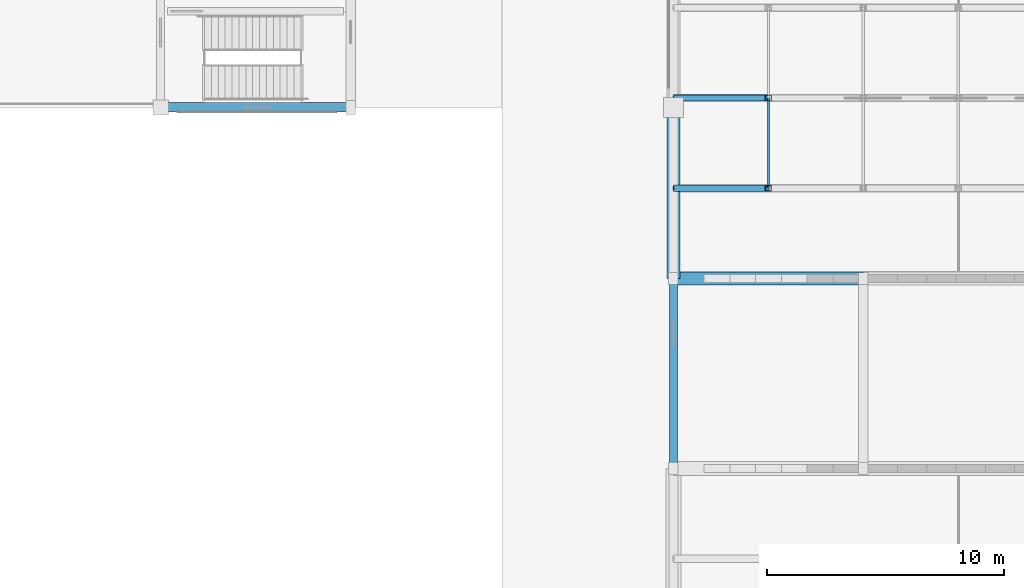
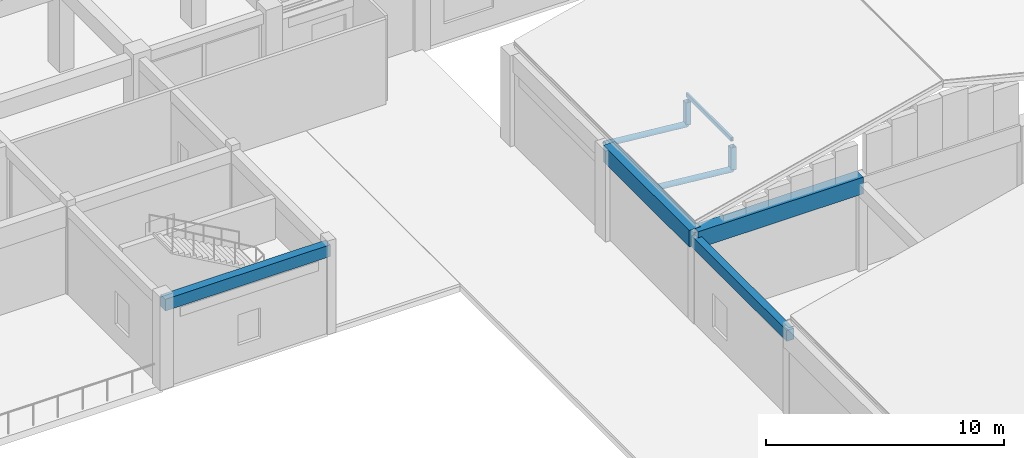
# One storey, part 12 of 61: 5 members, 4 beams.
"""IFC4 building model written with IfcOpenShell, lengths in metres."""

from ifc_helpers import new_model, si_unit, direction, frame, origin, origin_2d, place, context, subcontext, project, spatial, rectangle, hollow_rectangle, hollow_circle, extrude, material, material_profile, profile_set, type_object, element, save


model = new_model("IFC4")

# Units and contexts
model_context = context("Model", 3, precision=1e-05, world=origin(), true_north=direction((0.0, 1.0)))
body_context = subcontext(model_context, "Body", "Model", "MODEL_VIEW")
ifc_project = project(units=[si_unit("LENGTHUNIT", "METRE"), si_unit("AREAUNIT", "SQUARE_METRE"), si_unit("VOLUMEUNIT", "CUBIC_METRE"), si_unit("PLANEANGLEUNIT", "RADIAN"), si_unit("MASSUNIT", "GRAM", prefix="KILO")], contexts=[model_context])

# Site, building, storey
site_placement = place(None, origin())
site = spatial("IfcSite", under=ifc_project, at=site_placement, CompositionType="ELEMENT")
building_placement = place(site_placement, origin())
building = spatial("IfcBuilding", under=site, at=building_placement, Name="Vellmiral Cinema and Media Centre", CompositionType="ELEMENT")
storey_placement = place(building_placement, frame((0.0, 0.0, 10.800048828125)))
storey = spatial("IfcBuildingStorey", under=building, at=storey_placement, Name="L02", CompositionType="ELEMENT", Elevation=10.800048828125)

# Member
ifc_material_1 = material(Name="Steel S355", Category="steel")
ifc_material_profile_1 = material_profile(ifc_material_1, hollow_rectangle(XDim=0.10009765625, YDim=0.199951171875, WallThickness=0.008056640625, at=origin_2d()), Name="RHS 200x100x8.0")
ifc_profile_set_1 = profile_set([ifc_material_profile_1], Name="Steel S355")
member_type_1 = type_object("IfcMemberType", Name="PRL-RHS200", PredefinedType="PURLIN", material=ifc_profile_set_1)
member_placement = place(storey_placement, frame((128.0, 39.800048828125, 5.662353515625), z_axis=(0.0, 1.0, 0.0), x_axis=(-1.0, 0.0, 0.0)))
element("IfcMember", 1, at=member_placement, inside=storey, type_object=member_type_1, Name="Roof Purlin 6.1.1", PredefinedType="PURLIN", context=body_context, shape_type="SweptSolid", body=[
    extrude(hollow_rectangle(XDim=0.10009765625, YDim=0.199951171875, WallThickness=0.008056640625, at=origin_2d()), origin(), (0.0, 0.0, 1.0), 3.800048828125),
])

# Beams
ifc_material_2 = material(Name="Concrete C40/50", Category="concrete")
ifc_material_profile_2 = material_profile(ifc_material_2, rectangle(XDim=0.550048828125, YDim=0.85009765625, at=origin_2d()), Name="RC 550x850")
ifc_profile_set_2 = profile_set([ifc_material_profile_2], Name="Concrete C40/50")
beam_type_1 = type_object("IfcBeamType", Name="RING-BM-550x850", PredefinedType="BEAM", material=ifc_profile_set_2)
beam_1_placement = place(storey_placement, frame((124.0, 36.0, 4.375), z_axis=(1.0, 0.0, 0.0), x_axis=(0.0, 1.0, 0.0)))
element("IfcBeam", 2, at=beam_1_placement, inside=storey, type_object=beam_type_1, Name="Cinema Screen 6 Ring Beam 01", PredefinedType="BEAM", context=body_context, shape_type="SweptSolid", body=[
    extrude(rectangle(XDim=0.550048828125, YDim=0.85009765625, at=origin_2d()), origin(), (0.0, 0.0, 1.0), 8.0),
])
beam_2_placement = place(storey_placement, frame((124.0, 36.0, 4.375), z_axis=(0.0, 1.0, 0.0), x_axis=(-1.0, 0.0, 0.0)))
element("IfcBeam", 3, at=beam_2_placement, inside=storey, type_object=beam_type_1, Name="Cinema Screen 6 Ring Beam 07", PredefinedType="BEAM", context=body_context, shape_type="SweptSolid", body=[
    extrude(rectangle(XDim=0.550048828125, YDim=0.85009765625, at=origin_2d()), origin(), (0.0, 0.0, 1.0), 7.199951171875),
])
ifc_material_3 = material(Name="Concrete C40/50", Category="concrete")
ifc_material_profile_3 = material_profile(ifc_material_3, rectangle(XDim=0.35009765625, YDim=0.56005859375, at=origin_2d()), Name="RC 350x560")
ifc_profile_set_3 = profile_set([ifc_material_profile_3], Name="Concrete C40/50")
beam_type_2 = type_object("IfcBeamType", Name="SPD-RC-350x560", PredefinedType="SPANDREL", material=ifc_profile_set_3)
beam_3_placement = place(storey_placement, frame((124.0, 28.0, 4.21484375), z_axis=(0.0, 1.0, 0.0), x_axis=(-1.0, 0.0, 0.0)))
element("IfcBeam", 4, at=beam_3_placement, inside=storey, type_object=beam_type_2, Name="Grid Beam L02-Y154", PredefinedType="SPANDREL", context=body_context, shape_type="SweptSolid", body=[
    extrude(rectangle(XDim=0.35009765625, YDim=0.56005859375, at=origin_2d()), origin(), (0.0, 0.0, 1.0), 8.0),
])
ifc_material_4 = material(Name="Concrete C40/50", Category="concrete")
ifc_material_profile_4 = material_profile(ifc_material_4, rectangle(XDim=0.39990234375, YDim=0.60009765625, at=origin_2d()), Name="RC 400x600")
ifc_profile_set_4 = profile_set([ifc_material_profile_4], Name="Concrete C40/50")
beam_type_3 = type_object("IfcBeamType", Name="SPD-RC-400x600", PredefinedType="SPANDREL", material=ifc_profile_set_4)
beam_4_placement = place(storey_placement, frame((102.39990234375, 43.199951171875, 4.195068359375), z_axis=(1.0, 0.0, 0.0), x_axis=(0.0, 1.0, 0.0)))
element("IfcBeam", 5, at=beam_4_placement, inside=storey, type_object=beam_type_3, Name="Grid Beam L02-X003", PredefinedType="SPANDREL", context=body_context, shape_type="SweptSolid", body=[
    extrude(rectangle(XDim=0.39990234375, YDim=0.60009765625, at=origin_2d()), origin(), (0.0, 0.0, 1.0), 8.0),
])

# Members
ifc_material_5 = material(Name="Steel S355", Category="steel")
ifc_material_profile_5 = material_profile(ifc_material_5, hollow_circle(Radius=0.136474609375, WallThickness=0.012451171875, at=origin_2d()), Name="CHS 273.0x12.5")
ifc_profile_set_5 = profile_set([ifc_material_profile_5], Name="Steel S355")
member_type_2 = type_object("IfcMemberType", Name="TBR-CHS273", PredefinedType="BRACE", material=ifc_profile_set_5)
for number, where, z_axis, x_axis, name in (
    (6, (124.0, 39.800048828125, 4.52490234375), (0.995634226059, 0.0, -0.093340708693), (0.0, 1.0, 0.0), "Roof Truss TR-06.1 Diagonal 1"),
    (7, (124.0, 43.60009765625, 4.52490234375), (0.995634226059, 0.0, -0.093340708693), (0.0, 1.0, 0.0), "Roof Truss TR-06.2 Diagonal 1"),
):
    element("IfcMember", number, at=place(storey_placement, frame(where, z_axis=z_axis, x_axis=x_axis)), inside=storey, type_object=member_type_2, Name=name, PredefinedType="BRACE", context=body_context, shape_type="SweptSolid", body=[
        extrude(hollow_circle(Radius=0.136474609375, WallThickness=0.012451171875, at=origin_2d()), origin(), (0.0, 0.0, 1.0), 4.017578125),
    ])
ifc_material_6 = material(Name="Steel S355", Category="steel")
ifc_material_profile_6 = material_profile(ifc_material_6, hollow_rectangle(XDim=0.25, YDim=0.25, WallThickness=0.012451171875, at=origin_2d()), Name="SHS 250x250x12.5")
ifc_profile_set_6 = profile_set([ifc_material_profile_6], Name="Steel S355")
member_type_3 = type_object("IfcMemberType", Name="TBR-SHS250", PredefinedType="BRACE", material=ifc_profile_set_6)
for number, where, z_axis, x_axis, name in (
    (8, (128.0, 39.800048828125, 4.14990234375), (0.0, 0.0, 1.0), (1.0, 0.0, 0.0), "Roof Truss TR-06.1 Post 1"),
    (9, (128.0, 43.60009765625, 4.14990234375), (0.0, 0.0, 1.0), (1.0, 0.0, 0.0), "Roof Truss TR-06.2 Post 1"),
):
    element("IfcMember", number, at=place(storey_placement, frame(where, z_axis=z_axis, x_axis=x_axis)), inside=storey, type_object=member_type_3, Name=name, PredefinedType="BRACE", context=body_context, shape_type="SweptSolid", body=[
        extrude(hollow_rectangle(XDim=0.25, YDim=0.25, WallThickness=0.012451171875, at=origin_2d()), origin(), (0.0, 0.0, 1.0), 1.17724609375),
    ])

save(model, "model.ifc")
